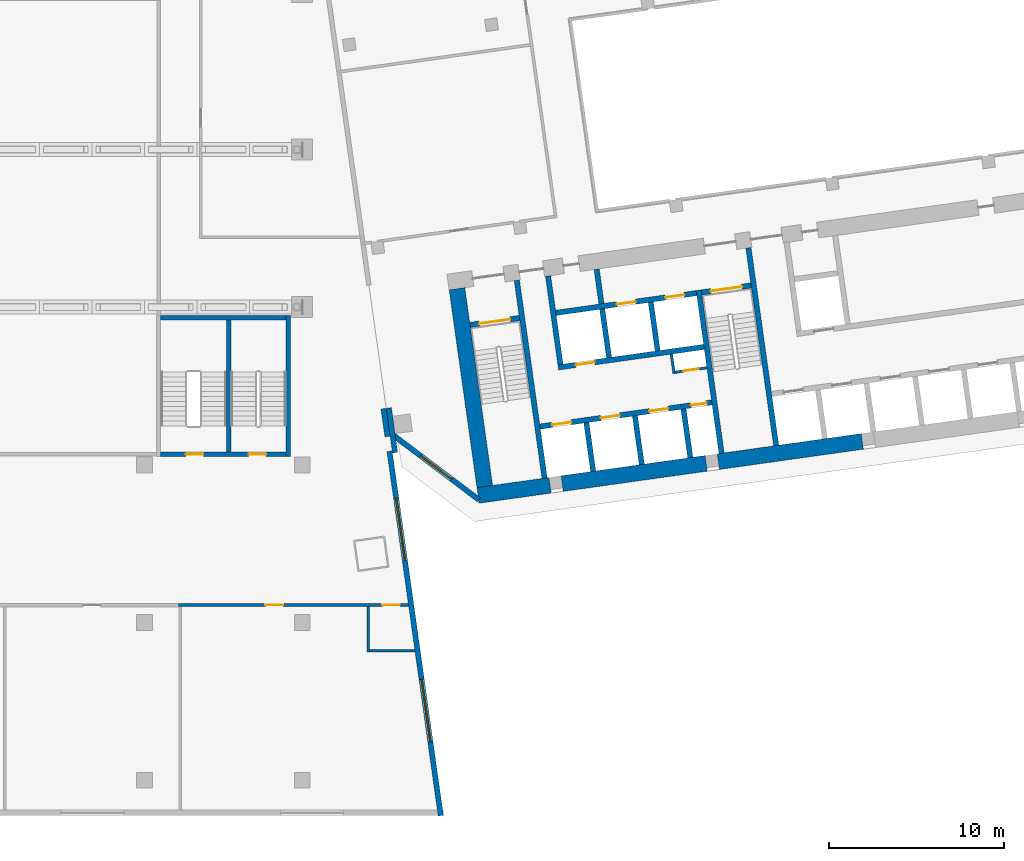
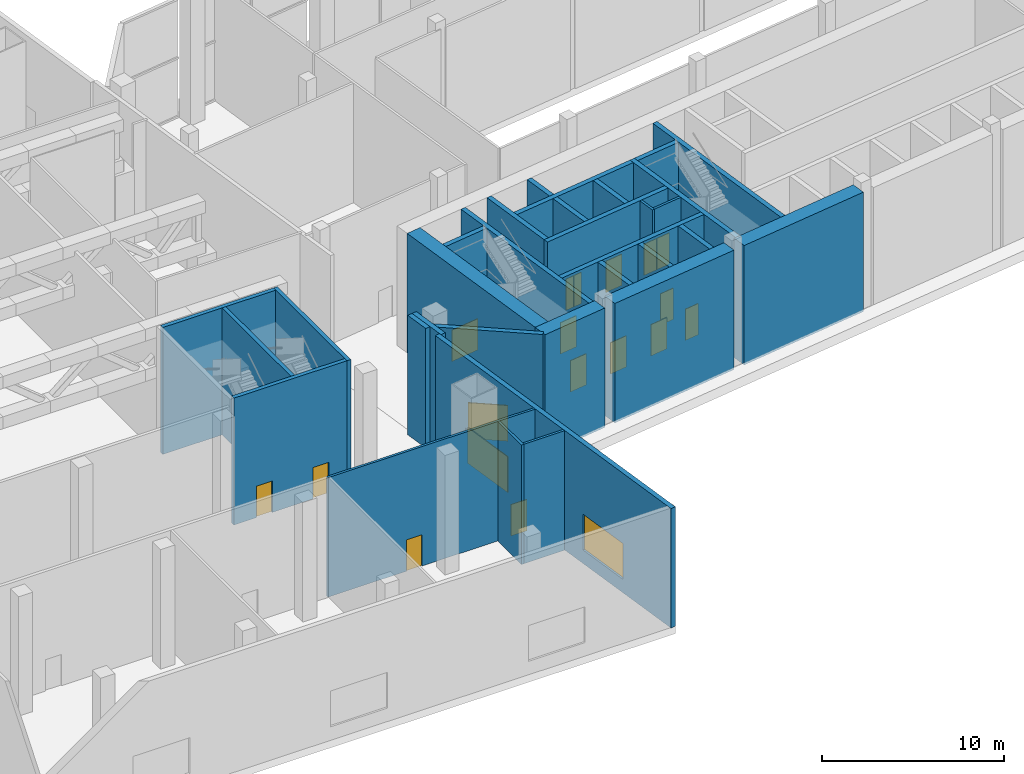
# One storey, part 22 of 31: 32 walls, 14 doors, 3 windows, 17 openings.
"""IFC4 building model written with IfcOpenShell, lengths in metres."""

from ifc_helpers import new_model, si_unit, direction, frame, frame_2d, origin, place, context, subcontext, project, spatial, rectangle, extrude, material, layer, layer_set, type_object, element, fill, save


model = new_model("IFC4")

# Units and contexts
model_context = context("Model", 3, precision=1e-05, world=origin(), true_north=direction((0.0, 1.0)))
body_context = subcontext(model_context, "Body", "Model", "MODEL_VIEW")
ifc_project = project(units=[si_unit("LENGTHUNIT", "METRE"), si_unit("AREAUNIT", "SQUARE_METRE"), si_unit("VOLUMEUNIT", "CUBIC_METRE"), si_unit("PLANEANGLEUNIT", "RADIAN"), si_unit("MASSUNIT", "GRAM", prefix="KILO")], contexts=[model_context])

# Site, building, storey
site_placement = place(None, origin())
site = spatial("IfcSite", under=ifc_project, at=site_placement, CompositionType="ELEMENT")
building_placement = place(site_placement, origin())
building = spatial("IfcBuilding", under=site, at=building_placement, Name="Mirante Cascada Hotel Towers", CompositionType="ELEMENT")
storey_placement = place(building_placement, frame((0.0, 0.0, 9.0)))
storey = spatial("IfcBuildingStorey", under=building, at=storey_placement, Name="L01", CompositionType="ELEMENT", Elevation=9.0)

# Wall
ifc_material_1 = material(Name="Masonry block", Category="masonry")
ifc_layer_1 = layer(ifc_material_1, 0.15)
ifc_layer_set_1 = layer_set([ifc_layer_1], Name="Core room partition 150 block EI 30")
wall_type_1 = type_object("IfcWallType", Name="Core room partition 150 block EI 30", PredefinedType="PARTITIONING", material=ifc_layer_set_1)
wall_1_placement = place(storey_placement, frame((48.2295, -12.793, 0.0), z_axis=(0.0, 0.0, 1.0), x_axis=(-0.1391935, 0.9902652, 0.0)))
element("IfcWall", 1, at=wall_1_placement, inside=storey, type_object=wall_type_1, Name="Core wall partition T2 L01 2", PredefinedType="PARTITIONING", context=body_context, shape_type="SweptSolid", body=[
    extrude(rectangle(XDim=1.1251, YDim=0.15, at=frame_2d((0.5626, 0.0))), origin(), (0.0, 0.0, 1.0), 8.0),
])

# Wall, opening, door
wall_2_placement = place(storey_placement, frame((48.2933, -12.7083, 0.0), z_axis=(0.0, 0.0, 1.0), x_axis=(0.990268, 0.1391734, 0.0)))
wall_2 = element("IfcWall", 2, at=wall_2_placement, inside=storey, type_object=wall_type_1, Name="Core wall partition T2 L01 3", PredefinedType="PARTITIONING", context=body_context, shape_type="SweptSolid", body=[
    extrude(rectangle(XDim=1.8251, YDim=0.15, at=frame_2d((0.9126, 0.0))), origin(), (0.0, 0.0, 1.0), 8.0),
])
opening_1_placement = place(wall_2_placement, frame((0.4625, 0.0, 0.0)))
opening_1 = element("IfcOpeningElement", 3, at=opening_1_placement, cuts=wall_2, Name="Opening D2-01-C26", PredefinedType="OPENING", context=body_context, shape_type="SweptSolid", body=[
    extrude(rectangle(XDim=0.9, YDim=2.1, at=frame_2d((0.45, 1.05))), frame((0.0, 0.075, 0.0), z_axis=(0.0, -1.0, 0.0), x_axis=(1.0, 0.0, 0.0)), (0.0, 0.0, 1.0), 0.15),
])
ifc_material_2 = material(Name="Hollow metal fire door leaf")
door_type_1 = type_object("IfcDoorType", Name="Fire door 900x2100 FD60", OperationType="NOTDEFINED", PredefinedType="DOOR", material=ifc_material_2)
door_1_placement = place(opening_1_placement, frame((0.9, 0.0, 0.0), z_axis=(0.0, 0.0, 1.0), x_axis=(-1.0, 0.0, 0.0)))
door_1 = element("IfcDoor", 4, at=door_1_placement, inside=storey, type_object=door_type_1, Name="Riser door T2 L01 26", OperationType="SINGLE_SWING_LEFT", OverallHeight=2.1, OverallWidth=0.9, PredefinedType="DOOR", context=body_context, shape_type="SweptSolid", body=[
    extrude(rectangle(XDim=0.9, YDim=2.1, at=frame_2d((0.45, 1.05))), frame((0.0, 0.025, 0.0), z_axis=(0.0, -1.0, 0.0), x_axis=(1.0, 0.0, 0.0)), (0.0, 0.0, 1.0), 0.05),
])
fill(opening_1, door_1)

# Wall
ifc_material_3 = material(Name="Masonry block", Category="masonry")
ifc_layer_2 = layer(ifc_material_3, 0.3)
ifc_layer_set_2 = layer_set([ifc_layer_2], Name="Core wall 300 block EI 120")
wall_type_2 = type_object("IfcWallType", Name="Core wall 300 block EI 120", PredefinedType="PARTITIONING", material=ifc_layer_set_2)
wall_3_placement = place(storey_placement, frame((44.0843, -8.8061, 0.0), z_axis=(0.0, 0.0, 1.0), x_axis=(-0.1391951, 0.990265, 0.0)))
element("IfcWall", 5, at=wall_3_placement, inside=storey, type_object=wall_type_2, Name="Core wall partition T2 L01 1", PredefinedType="PARTITIONING", context=body_context, shape_type="SweptSolid", body=[
    extrude(rectangle(XDim=2.0001, YDim=0.3, at=frame_2d((1.0001, 0.0))), origin(), (0.0, 0.0, 1.0), 8.0),
])

# Wall, opening, window
ifc_material_4 = material(Name="Precast concrete C40/50", Category="concrete")
ifc_layer_3 = layer(ifc_material_4, 0.3)
ifc_layer_set_3 = layer_set([ifc_layer_3], Name="Precast concrete C40/50 cladding wall 300")
wall_type_3 = type_object("IfcWallType", Name="Precast concrete C40/50 cladding wall 300", PredefinedType="STANDARD", material=ifc_layer_set_3)
wall_4_placement = place(storey_placement, frame((32.2074, -16.3138, 0.0), z_axis=(0.0, 0.0, 1.0), x_axis=(0.7986362, -0.6018141, 0.0)))
wall_4 = element("IfcWall", 6, at=wall_4_placement, inside=storey, type_object=wall_type_3, Name="Corner cladding wall T2 L01 inner rear", PredefinedType="STANDARD", context=body_context, shape_type="SweptSolid", body=[
    extrude(rectangle(XDim=6.1157, YDim=0.3, at=frame_2d((3.0578, 0.0))), origin(), (0.0, 0.0, 1.0), 8.0),
])
opening_2_placement = place(wall_4_placement, frame((1.9578, 0.0, 0.6)))
opening_2 = element("IfcOpeningElement", 7, at=opening_2_placement, cuts=wall_4, Name="Opening W2-01-05", PredefinedType="OPENING", context=body_context, shape_type="SweptSolid", body=[
    extrude(rectangle(XDim=2.2, YDim=2.4, at=frame_2d((1.1, 1.2))), frame((0.0, 0.15, 0.0), z_axis=(0.0, -1.0, 0.0), x_axis=(1.0, 0.0, 0.0)), (0.0, 0.0, 1.0), 0.3),
])
ifc_material_5 = material(Name="Aluminium frame with clear double glazing", Category="aluminium")
window_type_1 = type_object("IfcWindowType", Name="Corner suite window 2200x2400", PartitioningType="DOUBLE_PANEL_VERTICAL", PredefinedType="WINDOW", material=ifc_material_5)
window_1_placement = place(opening_2_placement, origin())
window_1 = element("IfcWindow", 8, at=window_1_placement, inside=storey, type_object=window_type_1, Name="Window W2-01-05", OverallHeight=2.4, OverallWidth=2.2, PartitioningType="SINGLE_PANEL", PredefinedType="WINDOW", context=body_context, shape_type="SweptSolid", body=[
    extrude(rectangle(XDim=2.2, YDim=2.4, at=frame_2d((1.1, 1.2))), frame((0.0, 0.03, 0.0), z_axis=(0.0, -1.0, 0.0), x_axis=(1.0, 0.0, 0.0)), (0.0, 0.0, 1.0), 0.06),
])
fill(opening_2, window_1)

# Wall, openings, windows
wall_5_placement = place(storey_placement, frame((34.911, -38.0209, 0.0), z_axis=(0.0, 0.0, 1.0), x_axis=(-0.1391749, 0.9902678, 0.0)))
wall_5 = element("IfcWall", 9, at=wall_5_placement, inside=storey, type_object=wall_type_3, Name="Podium cladding wall L01 P:L01:2", PredefinedType="STANDARD", context=body_context, shape_type="SweptSolid", body=[
    extrude(rectangle(XDim=21.0052, YDim=0.3, at=frame_2d((10.5026, 0.0))), origin(), (0.0, 0.0, 1.0), 8.0),
])
opening_3_placement = place(wall_5_placement, frame((4.259, 0.0, 0.9)))
opening_3 = element("IfcOpeningElement", 10, at=opening_3_placement, cuts=wall_5, Name="Opening WP-01-05", PredefinedType="OPENING", context=body_context, shape_type="SweptSolid", body=[
    extrude(rectangle(XDim=3.6, YDim=2.4, at=frame_2d((1.8, 1.2))), frame((0.0, 0.15, 0.0), z_axis=(0.0, -1.0, 0.0), x_axis=(1.0, 0.0, 0.0)), (0.0, 0.0, 1.0), 0.3),
])
opening_4_placement = place(wall_5_placement, frame((14.7059, 0.0, 0.9)))
opening_4 = element("IfcOpeningElement", 11, at=opening_4_placement, cuts=wall_5, Name="Opening WP-01-06", PredefinedType="OPENING", context=body_context, shape_type="SweptSolid", body=[
    extrude(rectangle(XDim=3.6, YDim=2.4, at=frame_2d((1.8, 1.2))), frame((0.0, 0.15, 0.0), z_axis=(0.0, -1.0, 0.0), x_axis=(1.0, 0.0, 0.0)), (0.0, 0.0, 1.0), 0.3),
])
ifc_material_6 = material(Name="Aluminium frame with clear double glazing", Category="aluminium")
window_type_2 = type_object("IfcWindowType", Name="Podium punched window 3600x2400", PartitioningType="DOUBLE_PANEL_VERTICAL", PredefinedType="WINDOW", material=ifc_material_6)
window_2_placement = place(opening_3_placement, origin())
window_2 = element("IfcWindow", 12, at=window_2_placement, inside=storey, type_object=window_type_2, Name="Window WP-01-05", OverallHeight=2.4, OverallWidth=3.6, PartitioningType="SINGLE_PANEL", PredefinedType="WINDOW", context=body_context, shape_type="SweptSolid", body=[
    extrude(rectangle(XDim=3.6, YDim=2.4, at=frame_2d((1.8, 1.2))), frame((0.0, 0.03, 0.0), z_axis=(0.0, -1.0, 0.0), x_axis=(1.0, 0.0, 0.0)), (0.0, 0.0, 1.0), 0.06),
])
fill(opening_3, window_2)
window_3_placement = place(opening_4_placement, origin())
window_3 = element("IfcWindow", 13, at=window_3_placement, inside=storey, type_object=window_type_2, Name="Window WP-01-06", OverallHeight=2.4, OverallWidth=3.6, PartitioningType="SINGLE_PANEL", PredefinedType="WINDOW", context=body_context, shape_type="SweptSolid", body=[
    extrude(rectangle(XDim=3.6, YDim=2.4, at=frame_2d((1.8, 1.2))), frame((0.0, 0.03, 0.0), z_axis=(0.0, -1.0, 0.0), x_axis=(1.0, 0.0, 0.0)), (0.0, 0.0, 1.0), 0.06),
])
fill(opening_4, window_3)

# Walls
wall_6_placement = place(storey_placement, frame((31.9434, -14.7504, 0.0), z_axis=(0.0, 0.0, 1.0), x_axis=(0.1391652, -0.9902692, 0.0)))
element("IfcWall", 14, at=wall_6_placement, inside=storey, type_object=wall_type_3, Name="Corner closure wall L01 2.1", PredefinedType="STANDARD", context=body_context, shape_type="SweptSolid", body=[
    extrude(rectangle(XDim=2.5818, YDim=0.3, at=frame_2d((1.2909, 0.0))), origin(), (0.0, 0.0, 1.0), 8.0),
])
wall_7_placement = place(storey_placement, frame((31.8695, -16.3798, 0.0), z_axis=(0.0, 0.0, 1.0), x_axis=(-0.1392118, 0.9902626, 0.0)))
element("IfcWall", 15, at=wall_7_placement, inside=storey, type_object=wall_type_3, Name="Corner closure wall L01 4.2", PredefinedType="STANDARD", context=body_context, shape_type="SweptSolid", body=[
    extrude(rectangle(XDim=1.6033, YDim=0.3, at=frame_2d((0.8016, 0.0))), origin(), (0.0, 0.0, 1.0), 8.0),
])
ifc_material_7 = material(Name="Concrete C50/60", Category="concrete")
ifc_layer_4 = layer(ifc_material_7, 0.3)
ifc_layer_set_4 = layer_set([ifc_layer_4], Name="RC core wall 300 C50/60")
wall_type_4 = type_object("IfcWallType", Name="RC core wall 300 C50/60", PredefinedType="SHEAR", material=ifc_layer_set_4)
wall_8_placement = place(storey_placement, frame((40.8373, -18.7548, 0.0), z_axis=(0.0, 0.0, 1.0), x_axis=(-0.1391749, 0.9902678, 0.0)))
element("IfcWall", 16, at=wall_8_placement, inside=storey, type_object=wall_type_4, Name="Core wall T2:L01:5", PredefinedType="SHEAR", context=body_context, shape_type="SweptSolid", body=[
    extrude(rectangle(XDim=11.4, YDim=0.3, at=frame_2d((5.7, 0.0))), origin(), (0.0, 0.0, 1.0), 8.0),
])
wall_9_placement = place(storey_placement, frame((50.938, -17.3352, 0.0), z_axis=(0.0, 0.0, 1.0), x_axis=(-0.1391706, 0.9902684, 0.0)))
element("IfcWall", 17, at=wall_9_placement, inside=storey, type_object=wall_type_4, Name="Core wall T2:L01:6", PredefinedType="SHEAR", context=body_context, shape_type="SweptSolid", body=[
    extrude(rectangle(XDim=9.4, YDim=0.3, at=frame_2d((4.7, 0.0))), origin(), (0.0, 0.0, 1.0), 8.0),
])
wall_10_placement = place(storey_placement, frame((54.0574, -16.8968, 0.0), z_axis=(0.0, 0.0, 1.0), x_axis=(-0.1391761, 0.9902677, 0.0)))
element("IfcWall", 18, at=wall_10_placement, inside=storey, type_object=wall_type_4, Name="Core wall T2:L01:7", PredefinedType="SHEAR", context=body_context, shape_type="SweptSolid", body=[
    extrude(rectangle(XDim=11.3999, YDim=0.3, at=frame_2d((5.7, 0.0))), origin(), (0.0, 0.0, 1.0), 8.0),
])

# Wall, opening, door
wall_11_placement = place(storey_placement, frame((36.5791, -10.0123, 0.0), z_axis=(0.0, 0.0, 1.0), x_axis=(0.9902704, 0.1391564, 0.0)))
wall_11 = element("IfcWall", 19, at=wall_11_placement, inside=storey, type_object=wall_type_4, Name="Core wall T2:L01:9", PredefinedType="SHEAR", context=body_context, shape_type="SweptSolid", body=[
    extrude(rectangle(XDim=2.85, YDim=0.3, at=frame_2d((1.425, 0.0))), origin(), (0.0, 0.0, 1.0), 8.0),
])
opening_5_placement = place(wall_11_placement, frame((0.525, 0.0, 0.0)))
opening_5 = element("IfcOpeningElement", 20, at=opening_5_placement, cuts=wall_11, Name="Opening D2-01-C16", PredefinedType="OPENING", context=body_context, shape_type="SweptSolid", body=[
    extrude(rectangle(XDim=1.8, YDim=2.1, at=frame_2d((0.9, 1.05))), frame((0.0, 0.15, 0.0), z_axis=(0.0, -1.0, 0.0), x_axis=(1.0, 0.0, 0.0)), (0.0, 0.0, 1.0), 0.3),
])
ifc_material_8 = material(Name="Hollow metal fire door leaf")
door_type_2 = type_object("IfcDoorType", Name="Double fire door 1800x2100 FD60", OperationType="DOUBLE_DOOR_SINGLE_SWING", PredefinedType="DOOR", material=ifc_material_8)
door_2_placement = place(opening_5_placement, frame((1.8, 0.0, 0.0), z_axis=(0.0, 0.0, 1.0), x_axis=(-1.0, 0.0, 0.0)))
door_2 = element("IfcDoor", 21, at=door_2_placement, inside=storey, type_object=door_type_2, Name="Stair door T2 L01 16", OperationType="DOUBLE_DOOR_SINGLE_SWING", OverallHeight=2.1, OverallWidth=1.8, PredefinedType="DOOR", context=body_context, shape_type="SweptSolid", body=[
    extrude(rectangle(XDim=0.895, YDim=2.1, at=frame_2d((0.4475, 1.05))), frame((0.0, 0.025, 0.0), z_axis=(0.0, -1.0, 0.0), x_axis=(1.0, 0.0, 0.0)), (0.0, 0.0, 1.0), 0.05),
    extrude(rectangle(XDim=0.895, YDim=2.1, at=frame_2d((1.3525, 1.05))), frame((0.0, 0.025, 0.0), z_axis=(0.0, -1.0, 0.0), x_axis=(1.0, 0.0, 0.0)), (0.0, 0.0, 1.0), 0.05),
])
fill(opening_5, door_2)

wall_12_placement = place(storey_placement, frame((49.7992, -8.1544, 0.0), z_axis=(0.0, 0.0, 1.0), x_axis=(0.9902656, 0.1391909, 0.0)))
wall_12 = element("IfcWall", 22, at=wall_12_placement, inside=storey, type_object=wall_type_4, Name="Core wall T2:L01:10", PredefinedType="SHEAR", context=body_context, shape_type="SweptSolid", body=[
    extrude(rectangle(XDim=2.85, YDim=0.3, at=frame_2d((1.425, 0.0))), origin(), (0.0, 0.0, 1.0), 8.0),
])
opening_6_placement = place(wall_12_placement, frame((0.525, 0.0, 0.0)))
opening_6 = element("IfcOpeningElement", 23, at=opening_6_placement, cuts=wall_12, Name="Opening D2-01-C18", PredefinedType="OPENING", context=body_context, shape_type="SweptSolid", body=[
    extrude(rectangle(XDim=1.8, YDim=2.1, at=frame_2d((0.9, 1.05))), frame((0.0, 0.15, 0.0), z_axis=(0.0, -1.0, 0.0), x_axis=(1.0, 0.0, 0.0)), (0.0, 0.0, 1.0), 0.3),
])
door_3_placement = place(opening_6_placement, frame((1.8, 0.0, 0.0), z_axis=(0.0, 0.0, 1.0), x_axis=(-1.0, 0.0, 0.0)))
door_3 = element("IfcDoor", 24, at=door_3_placement, inside=storey, type_object=door_type_2, Name="Stair door T2 L01 18", OperationType="DOUBLE_DOOR_SINGLE_SWING", OverallHeight=2.1, OverallWidth=1.8, PredefinedType="DOOR", context=body_context, shape_type="SweptSolid", body=[
    extrude(rectangle(XDim=0.895, YDim=2.1, at=frame_2d((0.4475, 1.05))), frame((0.0, 0.025, 0.0), z_axis=(0.0, -1.0, 0.0), x_axis=(1.0, 0.0, 0.0)), (0.0, 0.0, 1.0), 0.05),
    extrude(rectangle(XDim=0.895, YDim=2.1, at=frame_2d((1.3525, 1.05))), frame((0.0, 0.025, 0.0), z_axis=(0.0, -1.0, 0.0), x_axis=(1.0, 0.0, 0.0)), (0.0, 0.0, 1.0), 0.05),
])
fill(opening_6, door_3)

# Wall, openings, doors
wall_13_placement = place(storey_placement, frame((40.5753, -15.8126, 0.0), z_axis=(0.0, 0.0, 1.0), x_axis=(0.9902682, 0.1391725, 0.0)))
wall_13 = element("IfcWall", 25, at=wall_13_placement, inside=storey, type_object=wall_type_4, Name="Core wall T2:L01:12", PredefinedType="SHEAR", context=body_context, shape_type="SweptSolid", body=[
    extrude(rectangle(XDim=9.8999, YDim=0.3, at=frame_2d((4.95, 0.0))), origin(), (0.0, 0.0, 1.0), 8.0),
])
opening_7_placement = place(wall_13_placement, frame((0.7, 0.0, 0.0)))
opening_7 = element("IfcOpeningElement", 26, at=opening_7_placement, cuts=wall_13, Name="Opening LD", PredefinedType="OPENING", context=body_context, shape_type="SweptSolid", body=[
    extrude(rectangle(XDim=1.1, YDim=2.1, at=frame_2d((0.55, 1.05))), frame((0.0, 0.15, 0.0), z_axis=(0.0, -1.0, 0.0), x_axis=(1.0, 0.0, 0.0)), (0.0, 0.0, 1.0), 0.3),
])
opening_8_placement = place(wall_13_placement, frame((3.5, 0.0, 0.0)))
opening_8 = element("IfcOpeningElement", 27, at=opening_8_placement, cuts=wall_13, Name="Opening LD", PredefinedType="OPENING", context=body_context, shape_type="SweptSolid", body=[
    extrude(rectangle(XDim=1.1, YDim=2.1, at=frame_2d((0.55, 1.05))), frame((0.0, 0.15, 0.0), z_axis=(0.0, -1.0, 0.0), x_axis=(1.0, 0.0, 0.0)), (0.0, 0.0, 1.0), 0.3),
])
opening_9_placement = place(wall_13_placement, frame((6.3, 0.0, 0.0)))
opening_9 = element("IfcOpeningElement", 28, at=opening_9_placement, cuts=wall_13, Name="Opening LD", PredefinedType="OPENING", context=body_context, shape_type="SweptSolid", body=[
    extrude(rectangle(XDim=1.1, YDim=2.1, at=frame_2d((0.55, 1.05))), frame((0.0, 0.15, 0.0), z_axis=(0.0, -1.0, 0.0), x_axis=(1.0, 0.0, 0.0)), (0.0, 0.0, 1.0), 0.3),
])
opening_10_placement = place(wall_13_placement, frame((8.7, 0.0, 0.0)))
opening_10 = element("IfcOpeningElement", 29, at=opening_10_placement, cuts=wall_13, Name="Opening D2-01-C25", PredefinedType="OPENING", context=body_context, shape_type="SweptSolid", body=[
    extrude(rectangle(XDim=0.9, YDim=2.1, at=frame_2d((0.45, 1.05))), frame((0.0, 0.15, 0.0), z_axis=(0.0, -1.0, 0.0), x_axis=(1.0, 0.0, 0.0)), (0.0, 0.0, 1.0), 0.3),
])
door_4_placement = place(opening_10_placement, frame((0.9, 0.0, 0.0), z_axis=(0.0, 0.0, 1.0), x_axis=(-1.0, 0.0, 0.0)))
door_4 = element("IfcDoor", 30, at=door_4_placement, inside=storey, type_object=door_type_1, Name="Riser door T2 L01 25", OperationType="SINGLE_SWING_RIGHT", OverallHeight=2.1, OverallWidth=0.9, PredefinedType="DOOR", context=body_context, shape_type="SweptSolid", body=[
    extrude(rectangle(XDim=0.9, YDim=2.1, at=frame_2d((0.45, 1.05))), frame((0.0, 0.025, 0.0), z_axis=(0.0, -1.0, 0.0), x_axis=(1.0, 0.0, 0.0)), (0.0, 0.0, 1.0), 0.05),
])
fill(opening_10, door_4)
ifc_material_9 = material(Name="Stainless steel", Category="steel")
door_type_3 = type_object("IfcDoorType", Name="Lift landing door 1100x2100 EI 120", OperationType="DOUBLE_DOOR_SLIDING", PredefinedType="DOOR", material=ifc_material_9)
door_5_placement = place(opening_7_placement, origin())
door_5 = element("IfcDoor", 31, at=door_5_placement, inside=storey, type_object=door_type_3, Name="Lift landing door HR2-1 L01", OperationType="DOUBLE_DOOR_SLIDING", OverallHeight=2.1, OverallWidth=1.1, PredefinedType="DOOR", context=body_context, shape_type="SweptSolid", body=[
    extrude(rectangle(XDim=0.545, YDim=2.1, at=frame_2d((0.2725, 1.05))), frame((0.0, 0.025, 0.0), z_axis=(0.0, -1.0, 0.0), x_axis=(1.0, 0.0, 0.0)), (0.0, 0.0, 1.0), 0.05),
    extrude(rectangle(XDim=0.545, YDim=2.1, at=frame_2d((0.8275, 1.05))), frame((0.0, 0.025, 0.0), z_axis=(0.0, -1.0, 0.0), x_axis=(1.0, 0.0, 0.0)), (0.0, 0.0, 1.0), 0.05),
])
fill(opening_7, door_5)
door_6_placement = place(opening_8_placement, origin())
door_6 = element("IfcDoor", 32, at=door_6_placement, inside=storey, type_object=door_type_3, Name="Lift landing door HR2-2 L01", OperationType="DOUBLE_DOOR_SLIDING", OverallHeight=2.1, OverallWidth=1.1, PredefinedType="DOOR", context=body_context, shape_type="SweptSolid", body=[
    extrude(rectangle(XDim=0.545, YDim=2.1, at=frame_2d((0.2725, 1.05))), frame((0.0, 0.025, 0.0), z_axis=(0.0, -1.0, 0.0), x_axis=(1.0, 0.0, 0.0)), (0.0, 0.0, 1.0), 0.05),
    extrude(rectangle(XDim=0.545, YDim=2.1, at=frame_2d((0.8275, 1.05))), frame((0.0, 0.025, 0.0), z_axis=(0.0, -1.0, 0.0), x_axis=(1.0, 0.0, 0.0)), (0.0, 0.0, 1.0), 0.05),
])
fill(opening_8, door_6)
door_7_placement = place(opening_9_placement, origin())
door_7 = element("IfcDoor", 33, at=door_7_placement, inside=storey, type_object=door_type_3, Name="Lift landing door HR2-3 L01", OperationType="DOUBLE_DOOR_SLIDING", OverallHeight=2.1, OverallWidth=1.1, PredefinedType="DOOR", context=body_context, shape_type="SweptSolid", body=[
    extrude(rectangle(XDim=0.545, YDim=2.1, at=frame_2d((0.2725, 1.05))), frame((0.0, 0.025, 0.0), z_axis=(0.0, -1.0, 0.0), x_axis=(1.0, 0.0, 0.0)), (0.0, 0.0, 1.0), 0.05),
    extrude(rectangle(XDim=0.545, YDim=2.1, at=frame_2d((0.8275, 1.05))), frame((0.0, 0.025, 0.0), z_axis=(0.0, -1.0, 0.0), x_axis=(1.0, 0.0, 0.0)), (0.0, 0.0, 1.0), 0.05),
])
fill(opening_9, door_7)

# Wall, opening, door
wall_14_placement = place(storey_placement, frame((41.6153, -12.435, 0.0), z_axis=(0.0, 0.0, 1.0), x_axis=(0.9902691, 0.139166, 0.0)))
wall_14 = element("IfcWall", 34, at=wall_14_placement, inside=storey, type_object=wall_type_4, Name="Core wall T2:L01:13", PredefinedType="SHEAR", context=body_context, shape_type="SweptSolid", body=[
    extrude(rectangle(XDim=8.4, YDim=0.3, at=frame_2d((4.2, 0.0))), origin(), (0.0, 0.0, 1.0), 8.0),
])
opening_11_placement = place(wall_14_placement, frame((1.0, 0.0, 0.0)))
opening_11 = element("IfcOpeningElement", 35, at=opening_11_placement, cuts=wall_14, Name="Opening LD", PredefinedType="OPENING", context=body_context, shape_type="SweptSolid", body=[
    extrude(rectangle(XDim=1.1, YDim=2.1, at=frame_2d((0.55, 1.05))), frame((0.0, 0.15, 0.0), z_axis=(0.0, -1.0, 0.0), x_axis=(1.0, 0.0, 0.0)), (0.0, 0.0, 1.0), 0.3),
])
door_8_placement = place(opening_11_placement, origin())
door_8 = element("IfcDoor", 36, at=door_8_placement, inside=storey, type_object=door_type_3, Name="Lift landing door HR2-4 L01", OperationType="DOUBLE_DOOR_SLIDING", OverallHeight=2.1, OverallWidth=1.1, PredefinedType="DOOR", context=body_context, shape_type="SweptSolid", body=[
    extrude(rectangle(XDim=0.545, YDim=2.1, at=frame_2d((0.2725, 1.05))), frame((0.0, 0.025, 0.0), z_axis=(0.0, -1.0, 0.0), x_axis=(1.0, 0.0, 0.0)), (0.0, 0.0, 1.0), 0.05),
    extrude(rectangle(XDim=0.545, YDim=2.1, at=frame_2d((0.8275, 1.05))), frame((0.0, 0.025, 0.0), z_axis=(0.0, -1.0, 0.0), x_axis=(1.0, 0.0, 0.0)), (0.0, 0.0, 1.0), 0.05),
])
fill(opening_11, door_8)

# Wall, openings, doors
wall_15_placement = place(storey_placement, frame((41.481, -9.3234, 0.0), z_axis=(0.0, 0.0, 1.0), x_axis=(0.9902679, 0.1391741, 0.0)))
wall_15 = element("IfcWall", 37, at=wall_15_placement, inside=storey, type_object=wall_type_4, Name="Core wall T2:L01:14", PredefinedType="SHEAR", context=body_context, shape_type="SweptSolid", body=[
    extrude(rectangle(XDim=8.0999, YDim=0.3, at=frame_2d((4.05, 0.0))), origin(), (0.0, 0.0, 1.0), 8.0),
])
opening_12_placement = place(wall_15_placement, frame((3.5, 0.0, 0.0)))
opening_12 = element("IfcOpeningElement", 38, at=opening_12_placement, cuts=wall_15, Name="Opening LD", PredefinedType="OPENING", context=body_context, shape_type="SweptSolid", body=[
    extrude(rectangle(XDim=1.1, YDim=2.1, at=frame_2d((0.55, 1.05))), frame((0.0, 0.15, 0.0), z_axis=(0.0, -1.0, 0.0), x_axis=(1.0, 0.0, 0.0)), (0.0, 0.0, 1.0), 0.3),
])
opening_13_placement = place(wall_15_placement, frame((6.3, 0.0, 0.0)))
opening_13 = element("IfcOpeningElement", 39, at=opening_13_placement, cuts=wall_15, Name="Opening LD", PredefinedType="OPENING", context=body_context, shape_type="SweptSolid", body=[
    extrude(rectangle(XDim=1.1, YDim=2.1, at=frame_2d((0.55, 1.05))), frame((0.0, 0.15, 0.0), z_axis=(0.0, -1.0, 0.0), x_axis=(1.0, 0.0, 0.0)), (0.0, 0.0, 1.0), 0.3),
])
door_9_placement = place(opening_12_placement, origin())
door_9 = element("IfcDoor", 40, at=door_9_placement, inside=storey, type_object=door_type_3, Name="Lift landing door FF3 L01", OperationType="DOUBLE_DOOR_SLIDING", OverallHeight=2.1, OverallWidth=1.1, PredefinedType="DOOR", context=body_context, shape_type="SweptSolid", body=[
    extrude(rectangle(XDim=0.545, YDim=2.1, at=frame_2d((0.2725, 1.05))), frame((0.0, 0.025, 0.0), z_axis=(0.0, -1.0, 0.0), x_axis=(1.0, 0.0, 0.0)), (0.0, 0.0, 1.0), 0.05),
    extrude(rectangle(XDim=0.545, YDim=2.1, at=frame_2d((0.8275, 1.05))), frame((0.0, 0.025, 0.0), z_axis=(0.0, -1.0, 0.0), x_axis=(1.0, 0.0, 0.0)), (0.0, 0.0, 1.0), 0.05),
])
fill(opening_12, door_9)
door_10_placement = place(opening_13_placement, origin())
door_10 = element("IfcDoor", 41, at=door_10_placement, inside=storey, type_object=door_type_3, Name="Lift landing door FF4 L01", OperationType="DOUBLE_DOOR_SLIDING", OverallHeight=2.1, OverallWidth=1.1, PredefinedType="DOOR", context=body_context, shape_type="SweptSolid", body=[
    extrude(rectangle(XDim=0.545, YDim=2.1, at=frame_2d((0.2725, 1.05))), frame((0.0, 0.025, 0.0), z_axis=(0.0, -1.0, 0.0), x_axis=(1.0, 0.0, 0.0)), (0.0, 0.0, 1.0), 0.05),
    extrude(rectangle(XDim=0.545, YDim=2.1, at=frame_2d((0.8275, 1.05))), frame((0.0, 0.025, 0.0), z_axis=(0.0, -1.0, 0.0), x_axis=(1.0, 0.0, 0.0)), (0.0, 0.0, 1.0), 0.05),
])
fill(opening_13, door_10)

# Walls
wall_16_placement = place(storey_placement, frame((43.61, -18.3651, 0.0), z_axis=(0.0, 0.0, 1.0), x_axis=(-0.1391459, 0.9902719, 0.0)))
element("IfcWall", 42, at=wall_16_placement, inside=storey, type_object=wall_type_4, Name="Core wall T2:L01:15", PredefinedType="SHEAR", context=body_context, shape_type="SweptSolid", body=[
    extrude(rectangle(XDim=2.7999, YDim=0.3, at=frame_2d((1.4, 0.0))), origin(), (0.0, 0.0, 1.0), 8.0),
])
wall_17_placement = place(storey_placement, frame((46.3828, -17.9754, 0.0), z_axis=(0.0, 0.0, 1.0), x_axis=(-0.139181, 0.990267, 0.0)))
element("IfcWall", 43, at=wall_17_placement, inside=storey, type_object=wall_type_4, Name="Core wall T2:L01:16", PredefinedType="SHEAR", context=body_context, shape_type="SweptSolid", body=[
    extrude(rectangle(XDim=2.8, YDim=0.3, at=frame_2d((1.4, 0.0))), origin(), (0.0, 0.0, 1.0), 8.0),
])
wall_18_placement = place(storey_placement, frame((49.1555, -17.5857, 0.0), z_axis=(0.0, 0.0, 1.0), x_axis=(-0.1391459, 0.9902719, 0.0)))
element("IfcWall", 44, at=wall_18_placement, inside=storey, type_object=wall_type_4, Name="Core wall T2:L01:17", PredefinedType="SHEAR", context=body_context, shape_type="SweptSolid", body=[
    extrude(rectangle(XDim=2.7999, YDim=0.3, at=frame_2d((1.4, 0.0))), origin(), (0.0, 0.0, 1.0), 8.0),
])
for number, where, z_axis, x_axis, name in (
    (45, (44.5157, -11.8759, 0.0), (0.0, 0.0, 1.0), (-0.139181, 0.990267, 0.0), "Core wall T2:L01:18"),
    (46, (47.2885, -11.4862, 0.0), (0.0, 0.0, 1.0), (-0.139181, 0.990267, 0.0), "Core wall T2:L01:19"),
):
    element("IfcWall", number, at=place(storey_placement, frame(where, z_axis=z_axis, x_axis=x_axis)), inside=storey, type_object=wall_type_4, Name=name, PredefinedType="SHEAR", context=body_context, shape_type="SweptSolid", body=[
        extrude(rectangle(XDim=2.8, YDim=0.3, at=frame_2d((1.4, 0.0))), origin(), (0.0, 0.0, 1.0), 8.0),
    ])
wall_19_placement = place(storey_placement, frame((41.743, -12.2656, 0.0), z_axis=(0.0, 0.0, 1.0), x_axis=(-0.1391755, 0.9902677, 0.0)))
element("IfcWall", 47, at=wall_19_placement, inside=storey, type_object=wall_type_4, Name="Core wall T2:L01:20", PredefinedType="SHEAR", context=body_context, shape_type="SweptSolid", body=[
    extrude(rectangle(XDim=5.1, YDim=0.3, at=frame_2d((2.55, 0.0))), origin(), (0.0, 0.0, 1.0), 8.0),
])
ifc_material_10 = material(Name="Concrete C50/60", Category="concrete")
ifc_layer_5 = layer(ifc_material_10, 0.9)
ifc_layer_set_5 = layer_set([ifc_layer_5], Name="RC core wall 900 C50/60")
wall_type_5 = type_object("IfcWallType", Name="RC core wall 900 C50/60", PredefinedType="SHEAR", material=ifc_layer_set_5)
wall_20_placement = place(storey_placement, frame((37.0379, -19.7432, 0.0), z_axis=(0.0, 0.0, 1.0), x_axis=(0.990267, 0.139181, 0.0)))
element("IfcWall", 48, at=wall_20_placement, inside=storey, type_object=wall_type_5, Name="Core wall T2:L01:1.1", PredefinedType="SHEAR", context=body_context, shape_type="SweptSolid", body=[
    extrude(rectangle(XDim=4.15, YDim=0.9, at=frame_2d((2.075, 0.0))), origin(), (0.0, 0.0, 1.0), 8.0),
])
for number, where, z_axis, x_axis, name in (
    (49, (41.8407, -19.0682, 0.0), (0.0, 0.0, 1.0), (0.9902686, 0.1391692, 0.0), "Core wall T2:L01:1.2"),
    (50, (50.7531, -17.8156, 0.0), (0.0, 0.0, 1.0), (0.9902686, 0.1391692, 0.0), "Core wall T2:L01:1.3"),
):
    element("IfcWall", number, at=place(storey_placement, frame(where, z_axis=z_axis, x_axis=x_axis)), inside=storey, type_object=wall_type_5, Name=name, PredefinedType="SHEAR", context=body_context, shape_type="SweptSolid", body=[
        extrude(rectangle(XDim=8.3, YDim=0.9, at=frame_2d((4.15, 0.0))), origin(), (0.0, 0.0, 1.0), 8.0),
    ])
wall_21_placement = place(storey_placement, frame((37.4209, -19.2349, 0.0), z_axis=(0.0, 0.0, 1.0), x_axis=(-0.1391761, 0.9902677, 0.0)))
element("IfcWall", 51, at=wall_21_placement, inside=storey, type_object=wall_type_5, Name="Core wall T2:L01:3", PredefinedType="SHEAR", context=body_context, shape_type="SweptSolid", body=[
    extrude(rectangle(XDim=11.3999, YDim=0.9, at=frame_2d((5.7, 0.0))), origin(), (0.0, 0.0, 1.0), 8.0),
])

# Wall, openings, doors
ifc_material_11 = material(Name="Concrete C35/45", Category="concrete")
ifc_layer_6 = layer(ifc_material_11, 0.25)
ifc_layer_set_6 = layer_set([ifc_layer_6], Name="Stair wall 250 concrete C35/45 EI 120")
wall_type_6 = type_object("IfcWallType", Name="Stair wall 250 concrete C35/45 EI 120", PredefinedType="STANDARD", material=ifc_layer_set_6)
wall_22_placement = place(storey_placement, frame((18.915, -17.4, 0.0), z_axis=(0.0, 0.0, 1.0), x_axis=(1.0, 0.0, 0.0)))
wall_22 = element("IfcWall", 52, at=wall_22_placement, inside=storey, type_object=wall_type_6, Name="Stair wall P L01", PredefinedType="STANDARD", context=body_context, shape_type="SweptSolid", body=[
    extrude(rectangle(XDim=7.17, YDim=0.25, at=frame_2d((3.585, 0.0))), origin(), (0.0, 0.0, 1.0), 8.5),
])
opening_14_placement = place(wall_22_placement, frame((5.0275, 0.0, 0.0)))
opening_14 = element("IfcOpeningElement", 53, at=opening_14_placement, cuts=wall_22, Name="Opening DP-L01-03", PredefinedType="OPENING", context=body_context, shape_type="SweptSolid", body=[
    extrude(rectangle(XDim=1.0, YDim=2.1, at=frame_2d((0.5, 1.05))), frame((0.0, 0.125, 0.0), z_axis=(0.0, -1.0, 0.0), x_axis=(1.0, 0.0, 0.0)), (0.0, 0.0, 1.0), 0.25),
])
opening_15_placement = place(wall_22_placement, frame((1.4425, 0.0, 0.0)))
opening_15 = element("IfcOpeningElement", 54, at=opening_15_placement, cuts=wall_22, Name="Opening DP-L01-04", PredefinedType="OPENING", context=body_context, shape_type="SweptSolid", body=[
    extrude(rectangle(XDim=1.0, YDim=2.1, at=frame_2d((0.5, 1.05))), frame((0.0, 0.125, 0.0), z_axis=(0.0, -1.0, 0.0), x_axis=(1.0, 0.0, 0.0)), (0.0, 0.0, 1.0), 0.25),
])
ifc_material_12 = material(Name="Hollow metal fire door leaf")
door_type_4 = type_object("IfcDoorType", Name="Fire door 1000x2100 FD60", OperationType="NOTDEFINED", PredefinedType="DOOR", material=ifc_material_12)
door_11_placement = place(opening_14_placement, origin())
door_11 = element("IfcDoor", 55, at=door_11_placement, inside=storey, type_object=door_type_4, Name="Door DP-L01-03", OperationType="SINGLE_SWING_LEFT", OverallHeight=2.1, OverallWidth=1.0, PredefinedType="DOOR", context=body_context, shape_type="SweptSolid", body=[
    extrude(rectangle(XDim=1.0, YDim=2.1, at=frame_2d((0.5, 1.05))), frame((0.0, 0.025, 0.0), z_axis=(0.0, -1.0, 0.0), x_axis=(1.0, 0.0, 0.0)), (0.0, 0.0, 1.0), 0.05),
])
fill(opening_14, door_11)
door_12_placement = place(opening_15_placement, origin())
door_12 = element("IfcDoor", 56, at=door_12_placement, inside=storey, type_object=door_type_4, Name="Door DP-L01-04", OperationType="SINGLE_SWING_RIGHT", OverallHeight=2.1, OverallWidth=1.0, PredefinedType="DOOR", context=body_context, shape_type="SweptSolid", body=[
    extrude(rectangle(XDim=1.0, YDim=2.1, at=frame_2d((0.5, 1.05))), frame((0.0, 0.025, 0.0), z_axis=(0.0, -1.0, 0.0), x_axis=(1.0, 0.0, 0.0)), (0.0, 0.0, 1.0), 0.05),
])
fill(opening_15, door_12)

# Walls
wall_23_placement = place(storey_placement, frame((18.925, -9.6, 0.0), z_axis=(0.0, 0.0, 1.0), x_axis=(1.0, 0.0, 0.0)))
element("IfcWall", 57, at=wall_23_placement, inside=storey, type_object=wall_type_6, Name="Stair wall P L01", PredefinedType="STANDARD", context=body_context, shape_type="SweptSolid", body=[
    extrude(rectangle(XDim=7.15, YDim=0.25, at=frame_2d((3.575, 0.0))), origin(), (0.0, 0.0, 1.0), 8.5),
])
wall_24_placement = place(storey_placement, frame((26.2, -17.525, 0.0), z_axis=(0.0, 0.0, 1.0), x_axis=(0.0, 1.0, 0.0)))
element("IfcWall", 58, at=wall_24_placement, inside=storey, type_object=wall_type_6, Name="Stair wall P L01", PredefinedType="STANDARD", context=body_context, shape_type="SweptSolid", body=[
    extrude(rectangle(XDim=8.05, YDim=0.25, at=frame_2d((4.025, 0.0))), origin(), (0.0, 0.0, 1.0), 8.5),
])
wall_25_placement = place(storey_placement, frame((22.8, -17.275, 0.0), z_axis=(0.0, 0.0, 1.0), x_axis=(0.0, 1.0, 0.0)))
element("IfcWall", 59, at=wall_25_placement, inside=storey, type_object=wall_type_6, Name="Stair wall P L01", PredefinedType="STANDARD", context=body_context, shape_type="SweptSolid", body=[
    extrude(rectangle(XDim=7.55, YDim=0.25, at=frame_2d((3.775, 0.0))), origin(), (0.0, 0.0, 1.0), 8.5),
])
ifc_material_13 = material(Name="Masonry block", Category="masonry")
ifc_layer_7 = layer(ifc_material_13, 0.15)
ifc_layer_set_7 = layer_set([ifc_layer_7], Name="Wet room wall 150 block")
wall_type_7 = type_object("IfcWallType", Name="Wet room wall 150 block", PredefinedType="PARTITIONING", material=ifc_layer_set_7)
wall_26_placement = place(storey_placement, frame((30.848, -28.6, 0.0), z_axis=(0.0, 0.0, 1.0), x_axis=(1.0, 0.0, 0.0)))
element("IfcWall", 60, at=wall_26_placement, inside=storey, type_object=wall_type_7, Name="Wet room wall P L01", PredefinedType="PARTITIONING", context=body_context, shape_type="SweptSolid", body=[
    extrude(rectangle(XDim=2.5875, YDim=0.15, at=frame_2d((1.2938, 0.0))), origin(), (0.0, 0.0, 1.0), 8.0),
])

# Wall, openings, doors
wall_27_placement = place(storey_placement, frame((19.949, -26.0, 0.0), z_axis=(0.0, 0.0, 1.0), x_axis=(1.0, 0.0, 0.0)))
wall_27 = element("IfcWall", 61, at=wall_27_placement, inside=storey, type_object=wall_type_7, Name="Wet room wall P L01", PredefinedType="PARTITIONING", context=body_context, shape_type="SweptSolid", body=[
    extrude(rectangle(XDim=13.1211, YDim=0.15, at=frame_2d((6.5606, 0.0))), origin(), (0.0, 0.0, 1.0), 8.0),
])
opening_16_placement = place(wall_27_placement, frame((4.9545, 0.0, 0.0)))
opening_16 = element("IfcOpeningElement", 62, at=opening_16_placement, cuts=wall_27, Name="Opening DP-L01-12", PredefinedType="OPENING", context=body_context, shape_type="SweptSolid", body=[
    extrude(rectangle(XDim=1.0, YDim=2.1, at=frame_2d((0.5, 1.05))), frame((0.0, 0.075, 0.0), z_axis=(0.0, -1.0, 0.0), x_axis=(1.0, 0.0, 0.0)), (0.0, 0.0, 1.0), 0.15),
])
opening_17_placement = place(wall_27_placement, frame((11.624, 0.0, 0.0)))
opening_17 = element("IfcOpeningElement", 63, at=opening_17_placement, cuts=wall_27, Name="Opening DP-L01-16", PredefinedType="OPENING", context=body_context, shape_type="SweptSolid", body=[
    extrude(rectangle(XDim=1.0, YDim=2.1, at=frame_2d((0.5, 1.05))), frame((0.0, 0.075, 0.0), z_axis=(0.0, -1.0, 0.0), x_axis=(1.0, 0.0, 0.0)), (0.0, 0.0, 1.0), 0.15),
])
ifc_material_14 = material(Name="Timber door leaf", Category="wood")
door_type_5 = type_object("IfcDoorType", Name="Single door 1000x2100", OperationType="NOTDEFINED", PredefinedType="DOOR", material=ifc_material_14)
door_13_placement = place(opening_16_placement, frame((1.0, 0.0, 0.0), z_axis=(0.0, 0.0, 1.0), x_axis=(-1.0, 0.0, 0.0)))
door_13 = element("IfcDoor", 64, at=door_13_placement, inside=storey, type_object=door_type_5, Name="Door DP-L01-12", OperationType="SINGLE_SWING_RIGHT", OverallHeight=2.1, OverallWidth=1.0, PredefinedType="DOOR", context=body_context, shape_type="SweptSolid", body=[
    extrude(rectangle(XDim=1.0, YDim=2.1, at=frame_2d((0.5, 1.05))), frame((0.0, 0.025, 0.0), z_axis=(0.0, -1.0, 0.0), x_axis=(1.0, 0.0, 0.0)), (0.0, 0.0, 1.0), 0.05),
])
fill(opening_16, door_13)
door_14_placement = place(opening_17_placement, frame((1.0, 0.0, 0.0), z_axis=(0.0, 0.0, 1.0), x_axis=(-1.0, 0.0, 0.0)))
door_14 = element("IfcDoor", 65, at=door_14_placement, inside=storey, type_object=door_type_5, Name="Door DP-L01-16", OperationType="SINGLE_SWING_RIGHT", OverallHeight=2.1, OverallWidth=1.0, PredefinedType="DOOR", context=body_context, shape_type="SweptSolid", body=[
    extrude(rectangle(XDim=1.0, YDim=2.1, at=frame_2d((0.5, 1.05))), frame((0.0, 0.025, 0.0), z_axis=(0.0, -1.0, 0.0), x_axis=(1.0, 0.0, 0.0)), (0.0, 0.0, 1.0), 0.05),
])
fill(opening_17, door_14)

# Wall
wall_28_placement = place(storey_placement, frame((30.773, -28.675, 0.0), z_axis=(0.0, 0.0, 1.0), x_axis=(0.0, 1.0, 0.0)))
element("IfcWall", 66, at=wall_28_placement, inside=storey, type_object=wall_type_7, Name="Wet room wall P L01", PredefinedType="PARTITIONING", context=body_context, shape_type="SweptSolid", body=[
    extrude(rectangle(XDim=2.6, YDim=0.15, at=frame_2d((1.3, 0.0))), origin(), (0.0, 0.0, 1.0), 8.0),
])

save(model, "model.ifc")
